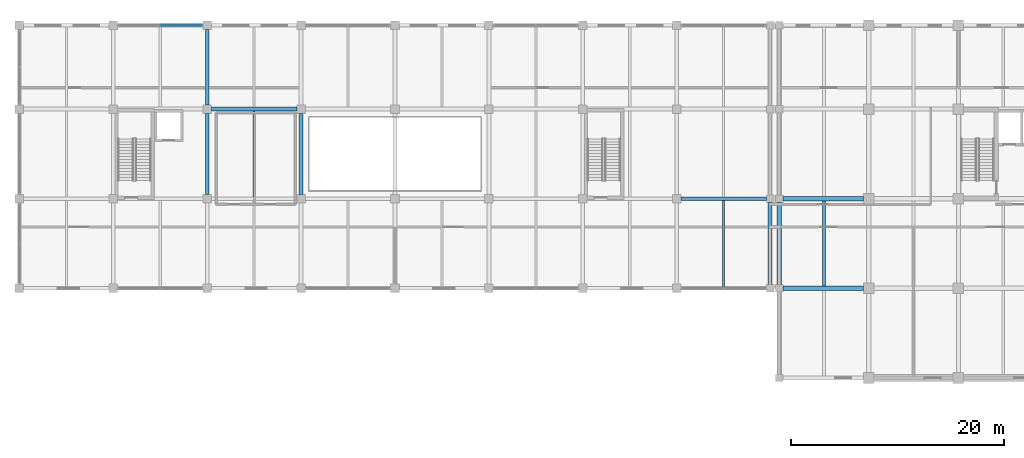
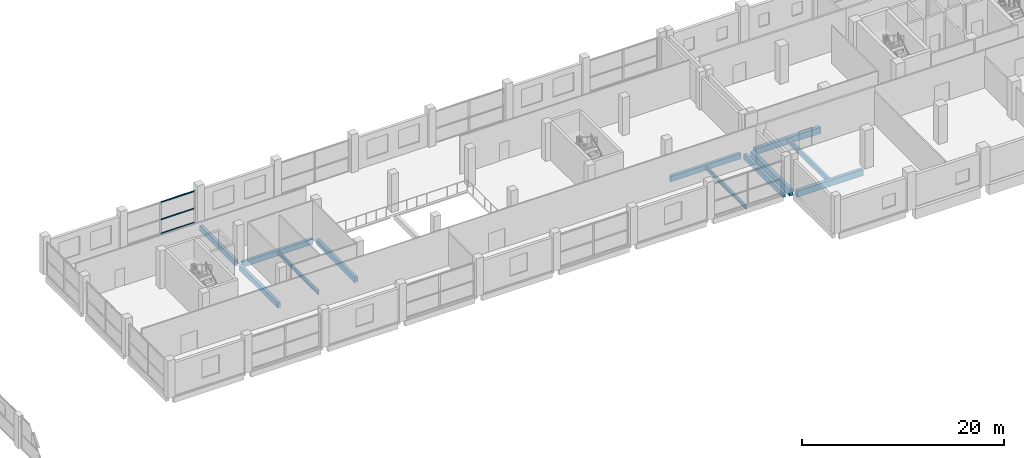
# One storey, part 11 of 31: 12 beams, 3 members, 1 element without a shape of its own.
"""IFC4 building model written with IfcOpenShell, lengths in metres."""

import ifcopenshell
import ifcopenshell.guid

model = None  # the IFC model being written
_history = None  # IfcOwnerHistory: only IFC2X3 demands one
_inside = {}  # id of a spatial element -> (the spatial element, [elements in it])
_under = {}  # id of a project, library or spatial element -> (it, [spatial elements below it])
_declared = {}  # id of a project -> (the project, [libraries it declares])
_typed = {}  # id of a type object -> (the type object, [elements of that type])
_made_of = {}  # id of a material, layer set ... -> (it, [elements and type objects made of it])


def new_model(schema):
    """Start an empty IFC model of exactly this schema.

    Asked for "IFC4X3", IfcOpenShell would pick the latest addendum, in which some entities
    have other attributes; the version numbers below select the first issue.
    IFC2X3 requires an IfcOwnerHistory on every rooted entity: one is made here for all.
    """
    global model, _history
    if schema == "IFC4X3":
        model = ifcopenshell.file(schema_version=(4, 3, 0, 0))
    else:
        model = ifcopenshell.file(schema=schema)
    _inside.clear()
    _under.clear()
    _declared.clear()
    _typed.clear()
    _made_of.clear()
    _history = None
    if model.schema == "IFC2X3":
        org = make("IfcOrganization", Name="unknown")
        user = make(
            "IfcPersonAndOrganization",
            ThePerson=make("IfcPerson", FamilyName="unknown"),
            TheOrganization=org,
        )
        app = make(
            "IfcApplication",
            ApplicationDeveloper=org,
            Version="unknown",
            ApplicationFullName="unknown",
            ApplicationIdentifier="unknown",
        )
        _history = make(
            "IfcOwnerHistory",
            OwningUser=user,
            OwningApplication=app,
            ChangeAction="ADDED",
            CreationDate=0,
        )
    return model


def make(cls, **values):
    """One entity of the class cls with the attributes given. An attribute that is None is left unset."""
    return model.create_entity(
        cls, **{name: value for name, value in values.items() if value is not None}
    )


def rooted(cls, **values):
    """An entity with a GlobalId (a new one), such as an element, a storey or a relation."""
    return make(cls, GlobalId=ifcopenshell.guid.new(), OwnerHistory=_history, **values)


def si_unit(unit_type, name, prefix=None):
    """IfcSIUnit, for example si_unit("LENGTHUNIT", "METRE", prefix="MILLI")."""
    return make("IfcSIUnit", UnitType=unit_type, Prefix=prefix, Name=name)


def assignment(units):
    """IfcUnitAssignment: the units of a project."""
    return None if units is None else make("IfcUnitAssignment", Units=units)


def point(xyz):
    """IfcCartesianPoint."""
    return None if xyz is None else make("IfcCartesianPoint", Coordinates=xyz)


def direction(xyz):
    """IfcDirection."""
    return None if xyz is None else make("IfcDirection", DirectionRatios=xyz)


def frame(location, z_axis=None, x_axis=None):
    """IfcAxis2Placement3D, a coordinate frame: its origin and axes. An axis left out is left unset."""
    return make(
        "IfcAxis2Placement3D",
        Location=point(location),
        Axis=direction(z_axis),
        RefDirection=direction(x_axis),
    )


def frame_2d(location, x_axis=None):
    """IfcAxis2Placement2D, a coordinate frame in the plane: its origin and x axis."""
    return make(
        "IfcAxis2Placement2D", Location=point(location), RefDirection=direction(x_axis)
    )


def origin():
    """The frame at (0, 0, 0) with its axes left unset."""
    return frame((0.0, 0.0, 0.0))


def origin_2d():
    """The frame at (0, 0) in the plane with its x axis left unset."""
    return frame_2d((0.0, 0.0))


def place(relative_to, where):
    """IfcLocalPlacement: puts the frame where relative to a parent placement (None: the world)."""
    return make(
        "IfcLocalPlacement", PlacementRelTo=relative_to, RelativePlacement=where
    )


def context(
    kind, dimensions, precision=None, world=None, true_north=None, identifier=None
):
    """IfcGeometricRepresentationContext, for example the 3D "Model" context."""
    return make(
        "IfcGeometricRepresentationContext",
        ContextIdentifier=identifier,
        ContextType=kind,
        CoordinateSpaceDimension=dimensions,
        Precision=precision,
        WorldCoordinateSystem=world,
        TrueNorth=true_north,
    )


def subcontext(parent, identifier, kind, view, scale=None):
    """IfcGeometricRepresentationSubContext, for example "Body" below "Model"."""
    return make(
        "IfcGeometricRepresentationSubContext",
        ContextIdentifier=identifier,
        ContextType=kind,
        ParentContext=parent,
        TargetScale=scale,
        TargetView=view,
    )


def project(units=None, contexts=None):
    """IfcProject with its units and contexts."""
    return rooted(
        "IfcProject",
        Name="project",
        RepresentationContexts=contexts,
        UnitsInContext=assignment(units),
    )


def spatial(cls, under=None, at=None, **own):
    """A site, building, storey or space (cls), placed at a placement, below another one or the project."""
    s = rooted(cls, ObjectPlacement=at, **own)
    if under is not None:
        _under.setdefault(under.id(), (under, []))[1].append(s)
    return s


def profile(cls, at=None, kind="AREA", **sizes):
    """A parametric profile (cls). Its sizes go by their IFC names, for example OverallWidth=200.0."""
    return make(cls, ProfileType=kind, Position=at, **sizes)


def rectangle(**sizes):
    """IfcRectangleProfileDef."""
    return profile("IfcRectangleProfileDef", **sizes)


def i_section(**sizes):
    """IfcIShapeProfileDef."""
    return profile("IfcIShapeProfileDef", **sizes)


def extrude(swept, where, along, depth):
    """IfcExtrudedAreaSolid: the profile swept, set in the frame where, extruded along a direction by depth."""
    return make(
        "IfcExtrudedAreaSolid",
        SweptArea=swept,
        Position=where,
        ExtrudedDirection=direction(along),
        Depth=depth,
    )


def shape(context_of_items, identifier, shape_type, items):
    """IfcShapeRepresentation: the items that make up one representation, for example the "Body"."""
    return make(
        "IfcShapeRepresentation",
        ContextOfItems=context_of_items,
        RepresentationIdentifier=identifier,
        RepresentationType=shape_type,
        Items=items,
    )


def material(Name=None, Category=None):
    """IfcMaterial."""
    return make("IfcMaterial", Name=Name, Category=Category)


def material_profile(
    of_material, cross_section, Name=None, Category=None, Priority=None
):
    """IfcMaterialProfile: a cross section and its material."""
    return make(
        "IfcMaterialProfile",
        Name=Name,
        Material=of_material,
        Profile=cross_section,
        Priority=Priority,
        Category=Category,
    )


def profile_set(profiles, Name=None, composite=None):
    """IfcMaterialProfileSet."""
    return make(
        "IfcMaterialProfileSet",
        Name=Name,
        MaterialProfiles=profiles,
        CompositeProfile=composite,
    )


def made_of(thing, what):
    """Note that an element or type object is made of a material, layer set ...; save() writes the relation."""
    if what is not None:
        _made_of.setdefault(what.id(), (what, []))[1].append(thing)
    return thing


def type_object(cls, material=None, **own):
    """A type object (cls), such as IfcWallType, which elements share."""
    return made_of(rooted(cls, **own), material)


def element(
    cls,
    number,
    at=None,
    inside=None,
    cuts=None,
    type_object=None,
    material=None,
    context=None,
    identifier="Body",
    shape_type=None,
    held_by="IfcProductDefinitionShape",
    body=None,
    shapes=None,
    **own,
):
    """One element of the class cls, such as IfcWall. Its Tag is "e" and its number.

    at: its placement. inside: the storey or other place that contains it. cuts: it is an
    opening in that element (IfcRelVoidsElement). A single representation is given by context,
    identifier, shape_type and body (its items); several are given by shapes. held_by: the class
    of the entity that holds the representations. save() writes the other relations.
    """
    e = rooted(cls, Tag="e%d" % number, ObjectPlacement=at, **own)
    if body is not None:
        shapes = [shape(context, identifier, shape_type, body)]
    if shapes is not None:
        e.Representation = make(held_by, Representations=shapes)
    if inside is not None:
        _inside.setdefault(inside.id(), (inside, []))[1].append(e)
    if cuts is not None:
        rooted(
            "IfcRelVoidsElement", RelatingBuildingElement=cuts, RelatedOpeningElement=e
        )
    if type_object is not None:
        _typed.setdefault(type_object.id(), (type_object, []))[1].append(e)
    return made_of(e, material)


def aggregate(whole, parts):
    """IfcRelAggregates: a whole, such as a stair, and the parts it consists of."""
    return rooted("IfcRelAggregates", RelatingObject=whole, RelatedObjects=parts)


def save(model, path):
    """Write the relations noted so far, then the file.

    IfcRelAggregates (storeys below a building ...), IfcRelContainedInSpatialStructure (elements
    in a storey), IfcRelDefinesByType, IfcRelAssociatesMaterial and IfcRelDeclares: one each for
    every whole, place, type object, material and project.
    """
    for whole, parts in _under.values():
        aggregate(whole, parts)
    for where, things in _inside.values():
        rooted(
            "IfcRelContainedInSpatialStructure",
            RelatedElements=things,
            RelatingStructure=where,
        )
    for kind, things in _typed.values():
        rooted("IfcRelDefinesByType", RelatedObjects=things, RelatingType=kind)
    for what, things in _made_of.values():
        rooted("IfcRelAssociatesMaterial", RelatedObjects=things, RelatingMaterial=what)
    for by, libraries in _declared.values():
        rooted("IfcRelDeclares", RelatingContext=by, RelatedDefinitions=libraries)
    model.write(path)


model = new_model("IFC4")

# Units and contexts
model_context = context("Model", 3, precision=1e-05, world=origin(), true_north=direction((0.0, 1.0)))
body_context = subcontext(model_context, "Body", "Model", "MODEL_VIEW")
ifc_project = project(units=[si_unit("LENGTHUNIT", "METRE"), si_unit("AREAUNIT", "SQUARE_METRE"), si_unit("VOLUMEUNIT", "CUBIC_METRE"), si_unit("PLANEANGLEUNIT", "RADIAN"), si_unit("MASSUNIT", "GRAM", prefix="KILO")], contexts=[model_context])

# Site, building, storey
site_placement = place(None, origin())
site = spatial("IfcSite", under=ifc_project, at=site_placement, CompositionType="ELEMENT")
building_placement = place(site_placement, origin())
building = spatial("IfcBuilding", under=site, at=building_placement, Name="Brinegate Botanical Conservatory", CompositionType="ELEMENT")
storey_placement = place(building_placement, frame((0.0, 0.0, 5.39990234375)))
storey = spatial("IfcBuildingStorey", under=building, at=storey_placement, Name="L02", CompositionType="ELEMENT", Elevation=5.39990234375)

# Beams
ifc_material_1 = material(Name="Concrete C50/60", Category="concrete")
ifc_material_profile_1 = material_profile(ifc_material_1, rectangle(XDim=0.39990234375, YDim=0.75, at=origin_2d()), Name="RC BM 400x750")
ifc_profile_set_1 = profile_set([ifc_material_profile_1], Name="Concrete C50/60")
beam_type_1 = type_object("IfcBeamType", Name="Beam_BM-T1", PredefinedType="BEAM", material=ifc_profile_set_1)
for number, where, z_axis, x_axis, name in (
    (1, (122.35009765625, 86.800048828125, -0.594970703125), (1.0, 0.0, 0.0), (0.0, 1.0, 0.0), "Beam BM-T1 L02 L:16-17"),
    (2, (122.35009765625, 95.199951171875, -0.594970703125), (1.0, 0.0, 0.0), (0.0, 1.0, 0.0), "Beam BM-T1 L02 M:16-17"),
):
    element("IfcBeam", number, at=place(storey_placement, frame(where, z_axis=z_axis, x_axis=x_axis)), inside=storey, type_object=beam_type_1, Name=name, PredefinedType="BEAM", context=body_context, shape_type="SweptSolid", body=[
        extrude(rectangle(XDim=0.39990234375, YDim=0.75, at=origin_2d()), origin(), (0.0, 0.0, 1.0), 7.5498046875),
    ])
beam_1_placement = place(storey_placement, frame((122.0, 87.14990234375, -0.594970703125), z_axis=(0.0, 1.0, 0.0), x_axis=(-1.0, 0.0, 0.0)))
element("IfcBeam", 3, at=beam_1_placement, inside=storey, type_object=beam_type_1, Name="Beam BM-T1 L02 16:L-M", PredefinedType="BEAM", context=body_context, shape_type="SweptSolid", body=[
    extrude(rectangle(XDim=0.39990234375, YDim=0.75, at=origin_2d()), origin(), (0.0, 0.0, 1.0), 7.7001953125),
])
ifc_material_2 = material(Name="Concrete C40/50", Category="concrete")
ifc_material_profile_2 = material_profile(ifc_material_2, rectangle(XDim=0.35009765625, YDim=0.64990234375, at=origin_2d()), Name="RC BM 350x650")
ifc_profile_set_2 = profile_set([ifc_material_profile_2], Name="Concrete C40/50")
beam_type_2 = type_object("IfcBeamType", Name="Beam_BM-V3", PredefinedType="BEAM", material=ifc_profile_set_2)
for number, where, z_axis, x_axis, name in (
    (4, (112.800048828125, 95.199951171875, -0.544921875), (1.0, 0.0, 0.0), (0.0, 1.0, 0.0), "Beam BM-V3 L02 M:14-15"),
    (5, (68.800048828125, 103.60009765625, -0.544921875), (1.0, 0.0, 0.0), (0.0, 1.0, 0.0), "Beam BM-V3 L02 N:9-10"),
):
    element("IfcBeam", number, at=place(storey_placement, frame(where, z_axis=z_axis, x_axis=x_axis)), inside=storey, type_object=beam_type_2, Name=name, PredefinedType="BEAM", context=body_context, shape_type="SweptSolid", body=[
        extrude(rectangle(XDim=0.35009765625, YDim=0.64990234375, at=origin_2d()), origin(), (0.0, 0.0, 1.0), 8.0),
    ])
beam_2_placement = place(storey_placement, frame((68.39990234375, 95.60009765625, -0.544921875), z_axis=(0.0, 1.0, 0.0), x_axis=(-1.0, 0.0, 0.0)))
element("IfcBeam", 6, at=beam_2_placement, inside=storey, type_object=beam_type_2, Name="Beam BM-V3 L02 9:M-N", PredefinedType="BEAM", context=body_context, shape_type="SweptSolid", body=[
    extrude(rectangle(XDim=0.35009765625, YDim=0.64990234375, at=origin_2d()), origin(), (0.0, 0.0, 1.0), 7.599853515625),
])
beam_3_placement = place(storey_placement, frame((68.39990234375, 104.0, -0.544921875), z_axis=(0.0, 1.0, 0.0), x_axis=(-1.0, 0.0, 0.0)))
element("IfcBeam", 7, at=beam_3_placement, inside=storey, type_object=beam_type_2, Name="Beam BM-V3 L02 9:N-P", PredefinedType="BEAM", context=body_context, shape_type="SweptSolid", body=[
    extrude(rectangle(XDim=0.35009765625, YDim=0.64990234375, at=origin_2d()), origin(), (0.0, 0.0, 1.0), 7.050048828125),
])
beam_4_placement = place(storey_placement, frame((77.199951171875, 95.60009765625, -0.544921875), z_axis=(0.0, 1.0, 0.0), x_axis=(-1.0, 0.0, 0.0)))
element("IfcBeam", 8, at=beam_4_placement, inside=storey, type_object=beam_type_2, Name="Beam BM-V3 L02 10:M-N", PredefinedType="BEAM", context=body_context, shape_type="SweptSolid", body=[
    extrude(rectangle(XDim=0.35009765625, YDim=0.64990234375, at=origin_2d()), origin(), (0.0, 0.0, 1.0), 7.599853515625),
])
beam_5_placement = place(storey_placement, frame((121.14990234375, 87.14990234375, -0.544921875), z_axis=(0.0, 1.0, 0.0), x_axis=(-1.0, 0.0, 0.0)))
element("IfcBeam", 9, at=beam_5_placement, inside=storey, type_object=beam_type_2, Name="Beam BM-V3 L02 15:L-M", PredefinedType="BEAM", context=body_context, shape_type="SweptSolid", body=[
    extrude(rectangle(XDim=0.35009765625, YDim=0.64990234375, at=origin_2d()), origin(), (0.0, 0.0, 1.0), 7.7001953125),
])
ifc_material_profile_3 = material_profile(ifc_material_2, rectangle(XDim=0.300048828125, YDim=0.550048828125, at=origin_2d()), Name="RC JST 300x550")
ifc_profile_set_3 = profile_set([ifc_material_profile_3], Name="Concrete C40/50")
beam_type_3 = type_object("IfcBeamType", Name="Beam_JS-C1", PredefinedType="JOIST", material=ifc_profile_set_3)
beam_6_placement = place(storey_placement, frame((126.199951171875, 87.0, -0.494873046875), z_axis=(0.0, 1.0, 0.0), x_axis=(-1.0, 0.0, 0.0)))
element("IfcBeam", 10, at=beam_6_placement, inside=storey, type_object=beam_type_3, Name="Floor joist JS-C1 L02 bay 16.11", PredefinedType="JOIST", context=body_context, shape_type="SweptSolid", body=[
    extrude(rectangle(XDim=0.300048828125, YDim=0.550048828125, at=origin_2d()), origin(), (0.0, 0.0, 1.0), 8.0),
])
ifc_material_3 = material(Name="Structural steel Q355B / S355", Category="steel")
ifc_material_profile_4 = material_profile(ifc_material_3, i_section(OverallWidth=0.199951171875, OverallDepth=0.449951171875, WebThickness=0.009033203125, FlangeThickness=0.013916015625, at=origin_2d()), Name="HN 450x200x9x14")
ifc_profile_set_4 = profile_set([ifc_material_profile_4], Name="Structural steel Q355B / S355")
beam_type_4 = type_object("IfcBeamType", Name="Beam_JS-S1", PredefinedType="JOIST", material=ifc_profile_set_4)
beam_7_placement = place(storey_placement, frame((72.800048828125, 95.375, -0.44482421875), z_axis=(0.0, 1.0, 0.0), x_axis=(-1.0, 0.0, 0.0)))
element("IfcBeam", 11, at=beam_7_placement, inside=storey, type_object=beam_type_4, Name="Floor joist JS-S1 L02 bay 9.12", PredefinedType="JOIST", context=body_context, shape_type="SweptSolid", body=[
    extrude(i_section(OverallWidth=0.199951171875, OverallDepth=0.449951171875, WebThickness=0.009033203125, FlangeThickness=0.013916015625, at=origin_2d()), origin(), (0.0, 0.0, 1.0), 8.050048828125),
])
beam_8_placement = place(storey_placement, frame((116.77490234375, 86.97509765625, -0.44482421875), z_axis=(0.0, 1.0, 0.0), x_axis=(-1.0, 0.0, 0.0)))
element("IfcBeam", 12, at=beam_8_placement, inside=storey, type_object=beam_type_4, Name="Floor joist JS-S1 L02 bay 14.11", PredefinedType="JOIST", context=body_context, shape_type="SweptSolid", body=[
    extrude(i_section(OverallWidth=0.199951171875, OverallDepth=0.449951171875, WebThickness=0.009033203125, FlangeThickness=0.013916015625, at=origin_2d()), origin(), (0.0, 0.0, 1.0), 8.0498046875),
])

# Curtain wall, members
ifc_material_4 = material(Name="Thermally broken anodised aluminium AW-6063-T6", Category="aluminium")
curtain_wall_type = type_object("IfcCurtainWallType", Name="CW_CW-V3", PredefinedType="USERDEFINED", material=ifc_material_4)
curtain_wall_placement = place(storey_placement, origin())
curtain_wall = element("IfcCurtainWall", 13, at=curtain_wall_placement, inside=storey, type_object=curtain_wall_type, Name="Visitor north factory curtain wall L02.2", ObjectType="FACTORY CURTAIN WALL", PredefinedType="USERDEFINED")
ifc_material_profile_5 = material_profile(ifc_material_4, rectangle(XDim=0.06494140625, YDim=0.135009765625, at=origin_2d()), Name="ALUM TRANSOM 65x135")
ifc_profile_set_5 = profile_set([ifc_material_profile_5], Name="Thermally broken anodised aluminium AW-6063-T6")
member_type = type_object("IfcMemberType", Name="Member_TR-02", PredefinedType="USERDEFINED", material=ifc_profile_set_5)
member_1_placement = place(storey_placement, frame((64.032470703125, 111.449951171875, 0.03271484375), z_axis=(1.0, 0.0, 0.0), x_axis=(0.0, 1.0, 0.0)))
member_1 = element("IfcMember", 14, at=member_1_placement, type_object=member_type, Name="CW-V3 transom 2.1", ObjectType="TRANSOM", PredefinedType="USERDEFINED", context=body_context, shape_type="SweptSolid", body=[
    extrude(rectangle(XDim=0.06494140625, YDim=0.135009765625, at=origin_2d()), origin(), (0.0, 0.0, 1.0), 3.862548828125),
])
member_2_placement = place(storey_placement, frame((64.032470703125, 111.449951171875, 1.72314453125), z_axis=(1.0, 0.0, 0.0), x_axis=(0.0, 1.0, 0.0)))
member_2 = element("IfcMember", 15, at=member_2_placement, type_object=member_type, Name="CW-V3 transom 2.2", ObjectType="TRANSOM", PredefinedType="USERDEFINED", context=body_context, shape_type="SweptSolid", body=[
    extrude(rectangle(XDim=0.06494140625, YDim=0.135009765625, at=origin_2d()), origin(), (0.0, 0.0, 1.0), 3.862548828125),
])
member_3_placement = place(storey_placement, frame((64.032470703125, 111.449951171875, 3.797607421875), z_axis=(1.0, 0.0, 0.0), x_axis=(0.0, 1.0, 0.0)))
member_3 = element("IfcMember", 16, at=member_3_placement, type_object=member_type, Name="CW-V3 transom 2.3", ObjectType="TRANSOM", PredefinedType="USERDEFINED", context=body_context, shape_type="SweptSolid", body=[
    extrude(rectangle(XDim=0.06494140625, YDim=0.135009765625, at=origin_2d()), origin(), (0.0, 0.0, 1.0), 3.862548828125),
])
aggregate(curtain_wall, [member_1, member_2, member_3])

save(model, "model.ifc")
